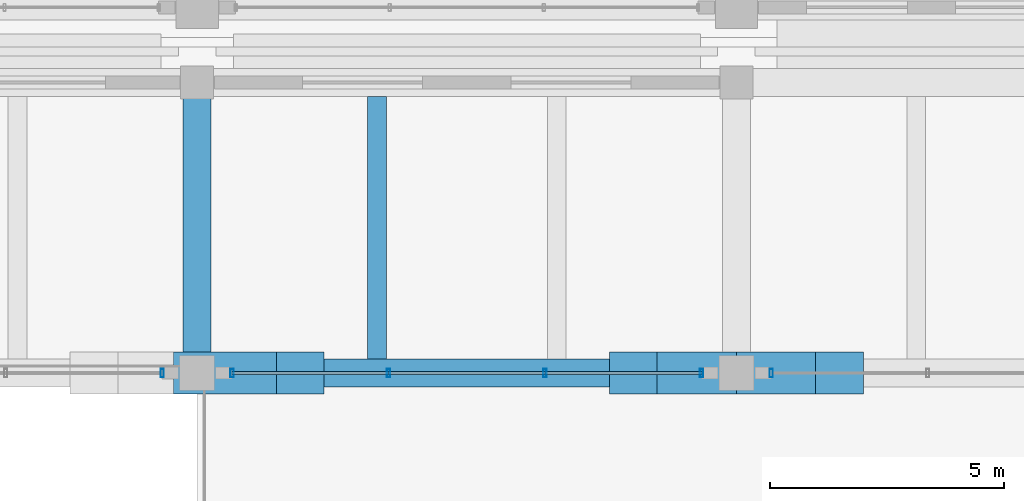
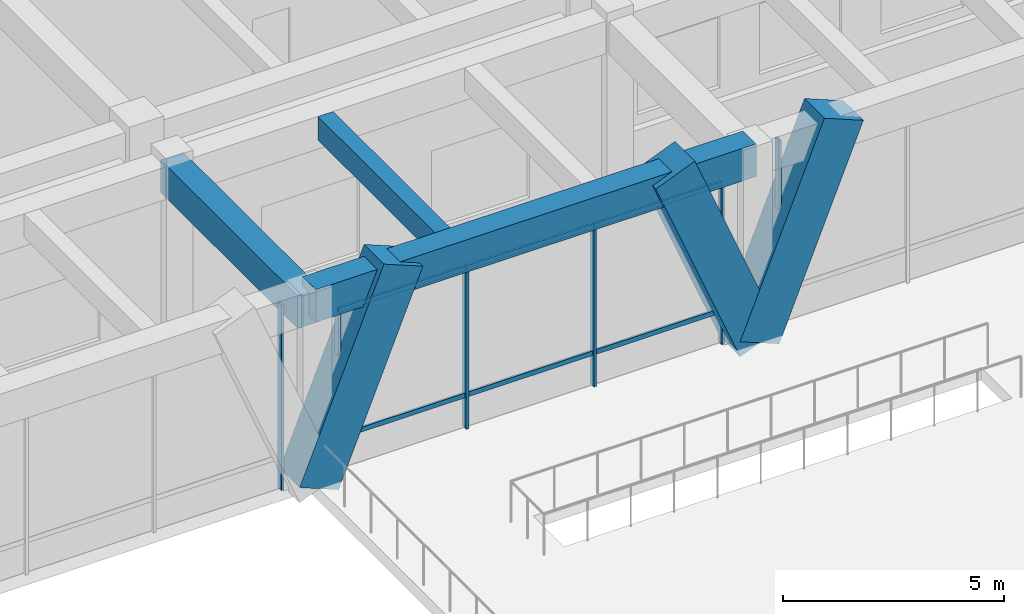
# One storey, part 54 of 148: 15 members, 3 beams, 3 elements without a shape of their own.
"""IFC4 building model written with IfcOpenShell, lengths in metres."""

from ifc_helpers import new_model, si_unit, direction, frame, origin, origin_2d, place, context, subcontext, project, spatial, rectangle, hollow_rectangle, extrude, material, material_profile, profile_set, type_object, element, aggregate, save


model = new_model("IFC4")

# Units and contexts
model_context = context("Model", 3, precision=1e-05, world=origin(), true_north=direction((0.0, 1.0)))
body_context = subcontext(model_context, "Body", "Model", "MODEL_VIEW")
ifc_project = project(units=[si_unit("LENGTHUNIT", "METRE"), si_unit("AREAUNIT", "SQUARE_METRE"), si_unit("VOLUMEUNIT", "CUBIC_METRE"), si_unit("PLANEANGLEUNIT", "RADIAN"), si_unit("MASSUNIT", "GRAM", prefix="KILO")], contexts=[model_context])

# Site, building, storey
site_placement = place(None, origin())
site = spatial("IfcSite", under=ifc_project, at=site_placement, CompositionType="ELEMENT")
building_placement = place(site_placement, origin())
building = spatial("IfcBuilding", under=site, at=building_placement, Name="Ologun Quay Terminus", CompositionType="ELEMENT")
storey_placement = place(building_placement, frame((0.0, 0.0, 8.39990234375)))
storey = spatial("IfcBuildingStorey", under=building, at=storey_placement, Name="L02", CompositionType="ELEMENT", Elevation=8.39990234375)

# Curtain wall, member
ifc_material_1 = material(Name="Aluminium 6063-T6", Category="aluminium")
curtain_wall_type = type_object("IfcCurtainWallType", Name="Train Shed North Clerestory Curtain Wall 10700x4850", PredefinedType="USERDEFINED", material=ifc_material_1)
curtain_wall_1_placement = place(storey_placement, origin())
curtain_wall_1 = element("IfcCurtainWall", 1, at=curtain_wall_1_placement, inside=storey, type_object=curtain_wall_type, Name="CW-09 Curtain Wall CW-L02-049", ObjectType="UNITISED CURTAIN WALL", PredefinedType="USERDEFINED")
ifc_material_2 = material(Name="Aluminium 6063-T6", Category="aluminium")
ifc_material_profile_1 = material_profile(ifc_material_2, hollow_rectangle(XDim=0.070068359375, YDim=0.179931640625, WallThickness=0.0048828125, at=origin_2d()), Name="ALU 180x70x5")
ifc_profile_set_1 = profile_set([ifc_material_profile_1], Name="Aluminium 6063-T6")
member_type_1 = type_object("IfcMemberType", Name="Concourse Clerestory Mullion 180x70", PredefinedType="MULLION", material=ifc_profile_set_1)
member_1_placement = place(storey_placement, frame((33.7548828125, 78.0, 0.0), z_axis=(0.0, 0.0, 1.0), x_axis=(1.0, 0.0, 0.0)))
member_1 = element("IfcMember", 2, at=member_1_placement, type_object=member_type_1, Name="CW-L02-049 Mullion 4", PredefinedType="MULLION", context=body_context, shape_type="SweptSolid", body=[
    extrude(hollow_rectangle(XDim=0.070068359375, YDim=0.179931640625, WallThickness=0.0048828125, at=origin_2d()), origin(), (0.0, 0.0, 1.0), 5.10009765625),
])
aggregate(curtain_wall_1, [member_1])

# Curtain wall, members
curtain_wall_2_placement = place(storey_placement, origin())
curtain_wall_2 = element("IfcCurtainWall", 3, at=curtain_wall_2_placement, inside=storey, type_object=curtain_wall_type, Name="CW-09 Curtain Wall CW-L02-051", ObjectType="UNITISED CURTAIN WALL", PredefinedType="USERDEFINED")
member_2_placement = place(storey_placement, frame((35.2451171875, 78.0, 0.0), z_axis=(0.0, 0.0, 1.0), x_axis=(1.0, 0.0, 0.0)))
member_2 = element("IfcMember", 4, at=member_2_placement, type_object=member_type_1, Name="CW-L02-051 Mullion 1", PredefinedType="MULLION", context=body_context, shape_type="SweptSolid", body=[
    extrude(hollow_rectangle(XDim=0.070068359375, YDim=0.179931640625, WallThickness=0.0048828125, at=origin_2d()), origin(), (0.0, 0.0, 1.0), 5.10009765625),
])
member_3_placement = place(storey_placement, frame((38.581787109375, 78.0, 0.0), z_axis=(0.0, 0.0, 1.0), x_axis=(1.0, 0.0, 0.0)))
member_3 = element("IfcMember", 5, at=member_3_placement, type_object=member_type_1, Name="CW-L02-051 Mullion 2", PredefinedType="MULLION", context=body_context, shape_type="SweptSolid", body=[
    extrude(hollow_rectangle(XDim=0.070068359375, YDim=0.179931640625, WallThickness=0.0048828125, at=origin_2d()), origin(), (0.0, 0.0, 1.0), 5.10009765625),
])
member_4_placement = place(storey_placement, frame((41.918212890625, 78.0, 0.0), z_axis=(0.0, 0.0, 1.0), x_axis=(1.0, 0.0, 0.0)))
member_4 = element("IfcMember", 6, at=member_4_placement, type_object=member_type_1, Name="CW-L02-051 Mullion 3", PredefinedType="MULLION", context=body_context, shape_type="SweptSolid", body=[
    extrude(hollow_rectangle(XDim=0.070068359375, YDim=0.179931640625, WallThickness=0.0048828125, at=origin_2d()), origin(), (0.0, 0.0, 1.0), 5.10009765625),
])
member_5_placement = place(storey_placement, frame((45.2548828125, 78.0, 0.0), z_axis=(0.0, 0.0, 1.0), x_axis=(1.0, 0.0, 0.0)))
member_5 = element("IfcMember", 7, at=member_5_placement, type_object=member_type_1, Name="CW-L02-051 Mullion 4", PredefinedType="MULLION", context=body_context, shape_type="SweptSolid", body=[
    extrude(hollow_rectangle(XDim=0.070068359375, YDim=0.179931640625, WallThickness=0.0048828125, at=origin_2d()), origin(), (0.0, 0.0, 1.0), 5.10009765625),
])

# Curtain wall, member
curtain_wall_3_placement = place(storey_placement, origin())
curtain_wall_3 = element("IfcCurtainWall", 8, at=curtain_wall_3_placement, inside=storey, type_object=curtain_wall_type, Name="CW-09 Curtain Wall CW-L02-053", ObjectType="UNITISED CURTAIN WALL", PredefinedType="USERDEFINED")
member_6_placement = place(storey_placement, frame((46.7451171875, 78.0, 0.0), z_axis=(0.0, 0.0, 1.0), x_axis=(1.0, 0.0, 0.0)))
member_6 = element("IfcMember", 9, at=member_6_placement, type_object=member_type_1, Name="CW-L02-053 Mullion 1", PredefinedType="MULLION", context=body_context, shape_type="SweptSolid", body=[
    extrude(hollow_rectangle(XDim=0.070068359375, YDim=0.179931640625, WallThickness=0.0048828125, at=origin_2d()), origin(), (0.0, 0.0, 1.0), 5.10009765625),
])
aggregate(curtain_wall_3, [member_6])

# Member
ifc_material_3 = material(Name="Aluminium 6063-T6", Category="aluminium")
ifc_material_profile_2 = material_profile(ifc_material_3, hollow_rectangle(XDim=0.06005859375, YDim=0.1298828125, WallThickness=0.00390625, at=origin_2d()), Name="ALU 130x60x4")
ifc_profile_set_2 = profile_set([ifc_material_profile_2], Name="Aluminium 6063-T6")
member_type_2 = type_object("IfcMemberType", Name="Concourse Clerestory Transom 130x60", PredefinedType="USERDEFINED", material=ifc_profile_set_2)
member_7_placement = place(storey_placement, frame((35.2451171875, 78.0, 0.900146484375), z_axis=(1.0, 0.0, 0.0), x_axis=(0.0, 1.0, 0.0)))
member_7 = element("IfcMember", 10, at=member_7_placement, type_object=member_type_2, Name="CW-L02-051 Transom B1-1", ObjectType="TRANSOM", PredefinedType="USERDEFINED", context=body_context, shape_type="SweptSolid", body=[
    extrude(hollow_rectangle(XDim=0.06005859375, YDim=0.1298828125, WallThickness=0.00390625, at=origin_2d()), origin(), (0.0, 0.0, 1.0), 3.336669921875),
])

member_8_placement = place(storey_placement, frame((35.2451171875, 78.0, 4.400146484375), z_axis=(1.0, 0.0, 0.0), x_axis=(0.0, 1.0, 0.0)))
member_8 = element("IfcMember", 11, at=member_8_placement, type_object=member_type_2, Name="CW-L02-051 Transom B1-2", ObjectType="TRANSOM", PredefinedType="USERDEFINED", context=body_context, shape_type="SweptSolid", body=[
    extrude(hollow_rectangle(XDim=0.06005859375, YDim=0.1298828125, WallThickness=0.00390625, at=origin_2d()), origin(), (0.0, 0.0, 1.0), 3.336669921875),
])

member_9_placement = place(storey_placement, frame((38.581787109375, 78.0, 0.900146484375), z_axis=(1.0, 0.0, 0.0), x_axis=(0.0, 1.0, 0.0)))
member_9 = element("IfcMember", 12, at=member_9_placement, type_object=member_type_2, Name="CW-L02-051 Transom B2-1", ObjectType="TRANSOM", PredefinedType="USERDEFINED", context=body_context, shape_type="SweptSolid", body=[
    extrude(hollow_rectangle(XDim=0.06005859375, YDim=0.1298828125, WallThickness=0.00390625, at=origin_2d()), origin(), (0.0, 0.0, 1.0), 3.33642578125),
])

member_10_placement = place(storey_placement, frame((38.581787109375, 78.0, 4.400146484375), z_axis=(1.0, 0.0, 0.0), x_axis=(0.0, 1.0, 0.0)))
member_10 = element("IfcMember", 13, at=member_10_placement, type_object=member_type_2, Name="CW-L02-051 Transom B2-2", ObjectType="TRANSOM", PredefinedType="USERDEFINED", context=body_context, shape_type="SweptSolid", body=[
    extrude(hollow_rectangle(XDim=0.06005859375, YDim=0.1298828125, WallThickness=0.00390625, at=origin_2d()), origin(), (0.0, 0.0, 1.0), 3.33642578125),
])

member_11_placement = place(storey_placement, frame((41.918212890625, 78.0, 0.900146484375), z_axis=(1.0, 0.0, 0.0), x_axis=(0.0, 1.0, 0.0)))
member_11 = element("IfcMember", 14, at=member_11_placement, type_object=member_type_2, Name="CW-L02-051 Transom B3-1", ObjectType="TRANSOM", PredefinedType="USERDEFINED", context=body_context, shape_type="SweptSolid", body=[
    extrude(hollow_rectangle(XDim=0.06005859375, YDim=0.1298828125, WallThickness=0.00390625, at=origin_2d()), origin(), (0.0, 0.0, 1.0), 3.336669921875),
])

member_12_placement = place(storey_placement, frame((41.918212890625, 78.0, 4.400146484375), z_axis=(1.0, 0.0, 0.0), x_axis=(0.0, 1.0, 0.0)))
member_12 = element("IfcMember", 15, at=member_12_placement, type_object=member_type_2, Name="CW-L02-051 Transom B3-2", ObjectType="TRANSOM", PredefinedType="USERDEFINED", context=body_context, shape_type="SweptSolid", body=[
    extrude(hollow_rectangle(XDim=0.06005859375, YDim=0.1298828125, WallThickness=0.00390625, at=origin_2d()), origin(), (0.0, 0.0, 1.0), 3.336669921875),
])

aggregate(curtain_wall_2, [member_2, member_3, member_4, member_5, member_7, member_8, member_9, member_10, member_11, member_12])

# Members
ifc_material_4 = material(Name="Concrete C45/55", Category="concrete")
ifc_material_profile_3 = material_profile(ifc_material_4, rectangle(XDim=0.89990234375, YDim=1.10009765625, at=origin_2d()), Name="RC 900x1100")
ifc_profile_set_3 = profile_set([ifc_material_profile_3], Name="Concrete C45/55")
member_type_3 = type_object("IfcMemberType", Name="Sculpted Concrete Arch V-Buttress Strut 900x1100", PredefinedType="STRUT", material=ifc_profile_set_3)
for number, where, z_axis, x_axis, name in (
    (16, (34.5, 78.0, 0.0), (0.377280927807, 0.0, 0.926098861631), (0.0, 1.0, 0.0), "VS1 Arch V-Buttress East Limb 4/F"),
    (17, (46.0, 78.0, 0.0), (-0.377280927807, 0.0, 0.926098861631), (0.0, -1.0, 0.0), "VS1 Arch V-Buttress West Limb 5/F"),
    (18, (46.0, 78.0, 0.0), (0.377280927807, 0.0, 0.926098861631), (0.0, 1.0, 0.0), "VS1 Arch V-Buttress East Limb 5/F"),
):
    element("IfcMember", number, at=place(storey_placement, frame(where, z_axis=z_axis, x_axis=x_axis)), inside=storey, type_object=member_type_3, Name=name, PredefinedType="STRUT", context=body_context, shape_type="SweptSolid", body=[
        extrude(rectangle(XDim=0.89990234375, YDim=1.10009765625, at=origin_2d()), origin(), (0.0, 0.0, 1.0), 5.8310546875),
    ])

# Beams
ifc_material_5 = material(Name="Concrete C40/50", Category="concrete")
ifc_material_profile_4 = material_profile(ifc_material_5, rectangle(XDim=0.60009765625, YDim=0.89990234375, at=origin_2d()), Name="RC 600x900")
ifc_profile_set_4 = profile_set([ifc_material_profile_4], Name="Concrete C40/50")
beam_type_1 = type_object("IfcBeamType", Name="Station Frame Girder 600x900", PredefinedType="BEAM", material=ifc_profile_set_4)
beam_1_placement = place(storey_placement, frame((34.5, 78.0, 4.9501953125), z_axis=(1.0, 0.0, 0.0), x_axis=(0.0, 1.0, 0.0)))
element("IfcBeam", 19, at=beam_1_placement, inside=storey, type_object=beam_type_1, Name="B3 Beam 4/F L02", PredefinedType="BEAM", context=body_context, shape_type="SweptSolid", body=[
    extrude(rectangle(XDim=0.60009765625, YDim=0.89990234375, at=origin_2d()), origin(), (0.0, 0.0, 1.0), 11.5),
])
beam_2_placement = place(storey_placement, frame((34.5, 78.0, 4.7001953125), z_axis=(0.0, 1.0, 0.0), x_axis=(-1.0, 0.0, 0.0)))
element("IfcBeam", 20, at=beam_2_placement, inside=storey, type_object=beam_type_1, Name="B3 Beam 4/F L02", PredefinedType="BEAM", context=body_context, shape_type="SweptSolid", body=[
    extrude(rectangle(XDim=0.60009765625, YDim=0.89990234375, at=origin_2d()), origin(), (0.0, 0.0, 1.0), 6.199951171875),
])
ifc_material_6 = material(Name="Concrete C40/50", Category="concrete")
ifc_material_profile_5 = material_profile(ifc_material_6, rectangle(XDim=0.39990234375, YDim=0.64990234375, at=origin_2d()), Name="RC 400x650")
ifc_profile_set_5 = profile_set([ifc_material_profile_5], Name="Concrete C40/50")
beam_type_2 = type_object("IfcBeamType", Name="Station Secondary Joist 400x650", PredefinedType="JOIST", material=ifc_profile_set_5)
beam_3_placement = place(storey_placement, frame((38.333251953125, 78.300048828125, 4.8251953125), z_axis=(0.0, 1.0, 0.0), x_axis=(-1.0, 0.0, 0.0)))
element("IfcBeam", 21, at=beam_3_placement, inside=storey, type_object=beam_type_2, Name="J1 Beam 4/F L02", PredefinedType="JOIST", context=body_context, shape_type="SweptSolid", body=[
    extrude(rectangle(XDim=0.39990234375, YDim=0.64990234375, at=origin_2d()), origin(), (0.0, 0.0, 1.0), 5.599853515625),
])

save(model, "model.ifc")
